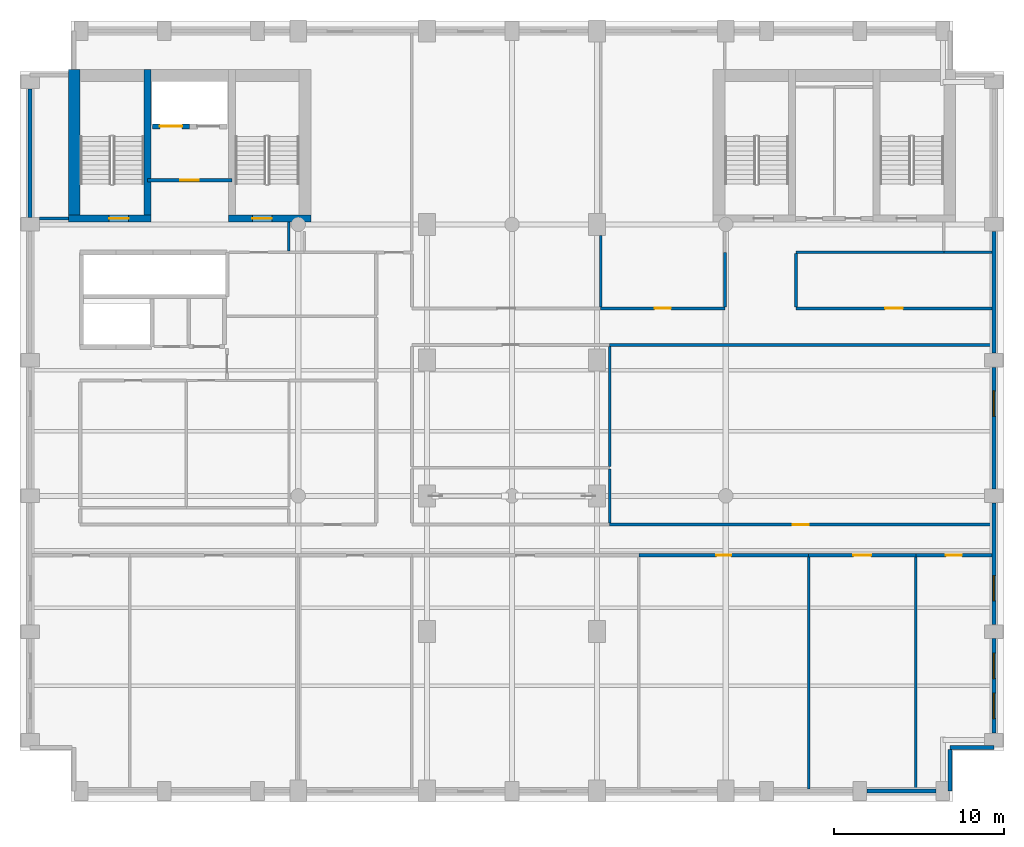
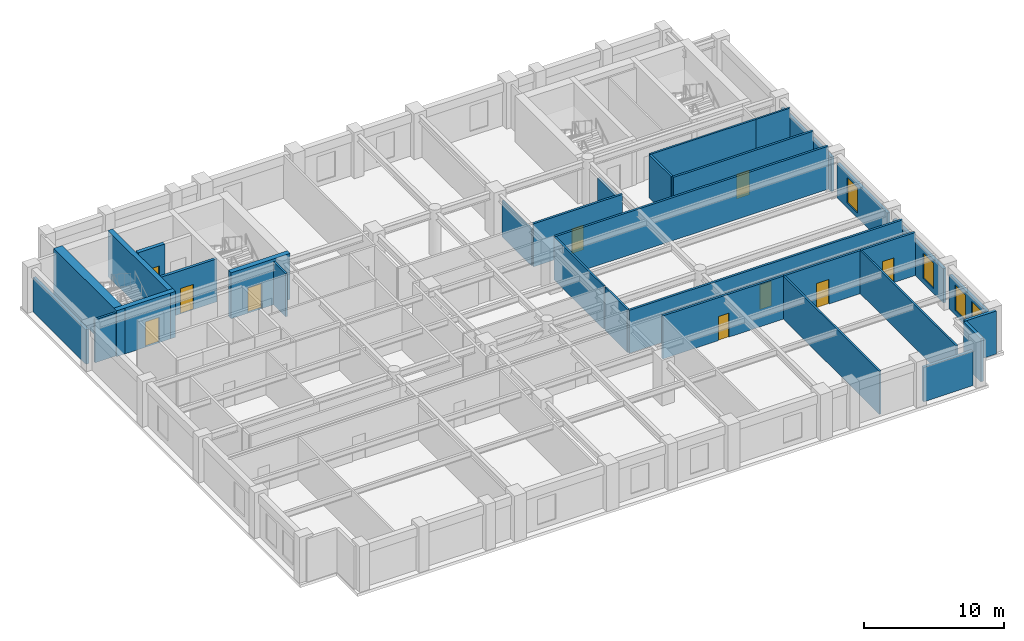
# One storey, part 6 of 10: 32 walls, 10 doors, 4 windows, 14 openings.
"""IFC4 building model written with IfcOpenShell, lengths in metres."""

from ifc_helpers import new_model, si_unit, direction, frame, frame_2d, origin, place, context, subcontext, project, spatial, rectangle, extrude, material, layer, layer_set, type_object, element, fill, save


model = new_model("IFC4")

# Units and contexts
model_context = context("Model", 3, precision=1e-05, world=origin(), true_north=direction((0.0, 1.0)))
body_context = subcontext(model_context, "Body", "Model", "MODEL_VIEW")
ifc_project = project(units=[si_unit("LENGTHUNIT", "METRE"), si_unit("AREAUNIT", "SQUARE_METRE"), si_unit("VOLUMEUNIT", "CUBIC_METRE"), si_unit("PLANEANGLEUNIT", "RADIAN"), si_unit("MASSUNIT", "GRAM", prefix="KILO")], contexts=[model_context])

# Site, building, storey
site_placement = place(None, origin())
site = spatial("IfcSite", under=ifc_project, at=site_placement, CompositionType="ELEMENT")
building_placement = place(site_placement, origin())
building = spatial("IfcBuilding", under=site, at=building_placement, Name="Sulina Concourse Tower", CompositionType="ELEMENT")
storey_placement = place(building_placement, frame((0.0, 0.0, 210.60009765625)))
storey = spatial("IfcBuildingStorey", under=building, at=storey_placement, Name="L51", CompositionType="ELEMENT", Elevation=210.60009765625)

# Wall, opening, door
ifc_material_1 = material(Name="Concrete C50/60", Category="concrete")
ifc_layer_1 = layer(ifc_material_1, 0.300048828125)
ifc_layer_set_1 = layer_set([ifc_layer_1], Name="Concrete C50/60")
wall_type_1 = type_object("IfcWallType", Name="Core Lift Hoistway Wall 300mm", PredefinedType="SOLIDWALL", material=ifc_layer_set_1)
wall_1_placement = place(storey_placement, frame((10.0, 39.780029296875, 0.0), z_axis=(0.0, 0.0, 1.0), x_axis=(-1.0, 0.0, 0.0)))
wall_1 = element("IfcWall", 1, at=wall_1_placement, inside=storey, type_object=wall_type_1, Name="L51 hoistway enclosure wall FFL-1", PredefinedType="SOLIDWALL", context=body_context, shape_type="SweptSolid", body=[
    extrude(rectangle(XDim=2.199951171875, YDim=0.300048828125, at=frame_2d((1.10009765625, 0.0))), origin(), (0.0, 0.0, 1.0), 4.0),
])
opening_1_placement = place(wall_1_placement, frame((0.449951171875, 0.0, 0.0)))
opening_1 = element("IfcOpeningElement", 2, at=opening_1_placement, cuts=wall_1, Name="Opening LD-02", PredefinedType="OPENING", context=body_context, shape_type="SweptSolid", body=[
    extrude(rectangle(XDim=1.300048828125, YDim=2.25, at=frame_2d((0.64990234375, 1.125))), frame((0.0, 0.159912109375, 0.0), z_axis=(0.0, -1.0, 0.0), x_axis=(1.0, 0.0, 0.0)), (0.0, 0.0, 1.0), 0.320068359375),
])
ifc_material_2 = material(Name="Stainless steel lift landing door", Category="steel")
ifc_layer_2 = layer(ifc_material_2, 0.050048828125)
ifc_layer_set_2 = layer_set([ifc_layer_2], Name="Stainless steel lift landing door")
door_type_1 = type_object("IfcDoorType", Name="Firefighting Lift Sliding Landing Door 1300x2250", OperationType="SLIDING_TO_RIGHT", PredefinedType="DOOR", material=ifc_layer_set_2)
door_1_placement = place(opening_1_placement, origin())
door_1 = element("IfcDoor", 3, at=door_1_placement, inside=storey, type_object=door_type_1, Name="L51 lift landing sliding door FFL-1", OperationType="SLIDING_TO_LEFT", OverallHeight=2.25, OverallWidth=1.300048828125, PredefinedType="DOOR", context=body_context, shape_type="SweptSolid", body=[
    extrude(rectangle(XDim=1.300048828125, YDim=2.25, at=frame_2d((0.64990234375, 1.125))), frame((0.0, 0.02490234375, 0.0), z_axis=(0.0, -1.0, 0.0), x_axis=(1.0, 0.0, 0.0)), (0.0, 0.0, 1.0), 0.050048828125),
])
fill(opening_1, door_1)

# Walls
ifc_material_3 = material(Name="Precast concrete C50/60", Category="concrete")
ifc_layer_3 = layer(ifc_material_3, 0.239990234375)
ifc_layer_set_3 = layer_set([ifc_layer_3], Name="Precast concrete C50/60")
wall_type_2 = type_object("IfcWallType", Name="Crown Precast Masonry-Frame Facade Wall 240mm", PredefinedType="SOLIDWALL", material=ifc_layer_set_3)
wall_2_placement = place(storey_placement, frame((53.97998046875, 0.60009765625, 0.0), z_axis=(0.0, 0.0, 1.0), x_axis=(-1.0, 0.0, 0.0)))
element("IfcWall", 4, at=wall_2_placement, inside=storey, type_object=wall_type_2, Name="L51 exterior precast wall S10", PredefinedType="SOLIDWALL", context=body_context, shape_type="SweptSolid", body=[
    extrude(rectangle(XDim=4.06005859375, YDim=0.239990234375, at=frame_2d((2.030029296875, 0.0))), origin(), (0.0, 0.0, 1.0), 3.0),
])
wall_3_placement = place(storey_placement, frame((0.60009765625, 34.419921875, 0.0), z_axis=(0.0, 0.0, 1.0), x_axis=(0.0, 1.0, 0.0)))
element("IfcWall", 5, at=wall_3_placement, inside=storey, type_object=wall_type_2, Name="L51 exterior precast wall W5", PredefinedType="SOLIDWALL", context=body_context, shape_type="SweptSolid", body=[
    extrude(rectangle(XDim=7.56005859375, YDim=0.239990234375, at=frame_2d((3.780029296875, 0.0))), origin(), (0.0, 0.0, 1.0), 3.0),
])

# Wall, openings, windows
wall_4_placement = place(storey_placement, frame((57.39990234375, 9.580078125, 0.0), z_axis=(0.0, 0.0, 1.0), x_axis=(0.0, -1.0, 0.0)))
wall_4 = element("IfcWall", 6, at=wall_4_placement, inside=storey, type_object=wall_type_2, Name="L51 exterior precast wall E1", PredefinedType="SOLIDWALL", context=body_context, shape_type="SweptSolid", body=[
    extrude(rectangle(XDim=5.56005859375, YDim=0.239990234375, at=frame_2d((2.780029296875, 0.0))), origin(), (0.0, 0.0, 1.0), 3.0),
])
opening_2_placement = place(wall_4_placement, frame((0.853271484375, 0.0, 0.419921875)))
opening_2 = element("IfcOpeningElement", 7, at=opening_2_placement, cuts=wall_4, Name="Opening WN-71", PredefinedType="OPENING", context=body_context, shape_type="SweptSolid", body=[
    extrude(rectangle(XDim=1.5, YDim=2.199951171875, at=frame_2d((0.75, 1.10009765625))), frame((0.0, 0.1298828125, 0.0), z_axis=(0.0, -1.0, 0.0), x_axis=(1.0, 0.0, 0.0)), (0.0, 0.0, 1.0), 0.260009765625),
])
opening_3_placement = place(wall_4_placement, frame((3.206787109375, 0.0, 0.419921875)))
opening_3 = element("IfcOpeningElement", 8, at=opening_3_placement, cuts=wall_4, Name="Opening WN-71", PredefinedType="OPENING", context=body_context, shape_type="SweptSolid", body=[
    extrude(rectangle(XDim=1.5, YDim=2.199951171875, at=frame_2d((0.75, 1.10009765625))), frame((0.0, 0.1298828125, 0.0), z_axis=(0.0, -1.0, 0.0), x_axis=(1.0, 0.0, 0.0)), (0.0, 0.0, 1.0), 0.260009765625),
])
ifc_material_4 = material(Name="Low-E solar double glazing in bronze aluminium", Category="aluminium")
window_type = type_object("IfcWindowType", Name="Punched Masonry-Frame Window 1500x2200", PartitioningType="SINGLE_PANEL", PredefinedType="WINDOW", material=ifc_material_4)
window_1_placement = place(opening_2_placement, origin())
window_1 = element("IfcWindow", 9, at=window_1_placement, inside=storey, type_object=window_type, Name="L51 punched window E1-1", OverallHeight=2.199951171875, OverallWidth=1.5, PartitioningType="SINGLE_PANEL", PredefinedType="WINDOW", context=body_context, shape_type="SweptSolid", body=[
    extrude(rectangle(XDim=1.5, YDim=2.199951171875, at=frame_2d((0.75, 1.10009765625))), frame((0.0, 0.030029296875, 0.0), z_axis=(0.0, -1.0, 0.0), x_axis=(1.0, 0.0, 0.0)), (0.0, 0.0, 1.0), 0.06005859375),
])
fill(opening_2, window_1)
window_2_placement = place(opening_3_placement, origin())
window_2 = element("IfcWindow", 10, at=window_2_placement, inside=storey, type_object=window_type, Name="L51 punched window E1-2", OverallHeight=2.199951171875, OverallWidth=1.5, PartitioningType="SINGLE_PANEL", PredefinedType="WINDOW", context=body_context, shape_type="SweptSolid", body=[
    extrude(rectangle(XDim=1.5, YDim=2.199951171875, at=frame_2d((0.75, 1.10009765625))), frame((0.0, 0.030029296875, 0.0), z_axis=(0.0, -1.0, 0.0), x_axis=(1.0, 0.0, 0.0)), (0.0, 0.0, 1.0), 0.06005859375),
])
fill(opening_3, window_2)

# Wall, opening, window
wall_5_placement = place(storey_placement, frame((57.39990234375, 17.580078125, 0.0), z_axis=(0.0, 0.0, 1.0), x_axis=(0.0, -1.0, 0.0)))
wall_5 = element("IfcWall", 11, at=wall_5_placement, inside=storey, type_object=wall_type_2, Name="L51 exterior precast wall E2", PredefinedType="SOLIDWALL", context=body_context, shape_type="SweptSolid", body=[
    extrude(rectangle(XDim=7.16015625, YDim=0.239990234375, at=frame_2d((3.580078125, 0.0))), origin(), (0.0, 0.0, 1.0), 3.0),
])
opening_4_placement = place(wall_5_placement, frame((4.273193359375, 0.0, 0.419921875)))
opening_4 = element("IfcOpeningElement", 12, at=opening_4_placement, cuts=wall_5, Name="Opening WN-71", PredefinedType="OPENING", context=body_context, shape_type="SweptSolid", body=[
    extrude(rectangle(XDim=1.5, YDim=2.199951171875, at=frame_2d((0.75, 1.10009765625))), frame((0.0, 0.1298828125, 0.0), z_axis=(0.0, -1.0, 0.0), x_axis=(1.0, 0.0, 0.0)), (0.0, 0.0, 1.0), 0.260009765625),
])
window_3_placement = place(opening_4_placement, origin())
window_3 = element("IfcWindow", 13, at=window_3_placement, inside=storey, type_object=window_type, Name="L51 punched window E2-1", OverallHeight=2.199951171875, OverallWidth=1.5, PartitioningType="SINGLE_PANEL", PredefinedType="WINDOW", context=body_context, shape_type="SweptSolid", body=[
    extrude(rectangle(XDim=1.5, YDim=2.199951171875, at=frame_2d((0.75, 1.10009765625))), frame((0.0, 0.030029296875, 0.0), z_axis=(0.0, -1.0, 0.0), x_axis=(1.0, 0.0, 0.0)), (0.0, 0.0, 1.0), 0.06005859375),
])
fill(opening_4, window_3)

wall_6_placement = place(storey_placement, frame((57.39990234375, 25.580078125, 0.0), z_axis=(0.0, 0.0, 1.0), x_axis=(0.0, -1.0, 0.0)))
wall_6 = element("IfcWall", 14, at=wall_6_placement, inside=storey, type_object=wall_type_2, Name="L51 exterior precast wall E3", PredefinedType="SOLIDWALL", context=body_context, shape_type="SweptSolid", body=[
    extrude(rectangle(XDim=7.16015625, YDim=0.239990234375, at=frame_2d((3.580078125, 0.0))), origin(), (0.0, 0.0, 1.0), 3.0),
])
opening_5_placement = place(wall_6_placement, frame((1.38671875, 0.0, 0.419921875)))
opening_5 = element("IfcOpeningElement", 15, at=opening_5_placement, cuts=wall_6, Name="Opening WN-71", PredefinedType="OPENING", context=body_context, shape_type="SweptSolid", body=[
    extrude(rectangle(XDim=1.5, YDim=2.199951171875, at=frame_2d((0.75, 1.10009765625))), frame((0.0, 0.1298828125, 0.0), z_axis=(0.0, -1.0, 0.0), x_axis=(1.0, 0.0, 0.0)), (0.0, 0.0, 1.0), 0.260009765625),
])
window_4_placement = place(opening_5_placement, origin())
window_4 = element("IfcWindow", 16, at=window_4_placement, inside=storey, type_object=window_type, Name="L51 punched window E3-1", OverallHeight=2.199951171875, OverallWidth=1.5, PartitioningType="SINGLE_PANEL", PredefinedType="WINDOW", context=body_context, shape_type="SweptSolid", body=[
    extrude(rectangle(XDim=1.5, YDim=2.199951171875, at=frame_2d((0.75, 1.10009765625))), frame((0.0, 0.030029296875, 0.0), z_axis=(0.0, -1.0, 0.0), x_axis=(1.0, 0.0, 0.0)), (0.0, 0.0, 1.0), 0.06005859375),
])
fill(opening_5, window_4)

# Walls
wall_7_placement = place(storey_placement, frame((57.39990234375, 33.580078125, 0.0), z_axis=(0.0, 0.0, 1.0), x_axis=(0.0, -1.0, 0.0)))
element("IfcWall", 17, at=wall_7_placement, inside=storey, type_object=wall_type_2, Name="L51 exterior precast wall E4", PredefinedType="SOLIDWALL", context=body_context, shape_type="SweptSolid", body=[
    extrude(rectangle(XDim=7.16015625, YDim=0.239990234375, at=frame_2d((3.580078125, 0.0))), origin(), (0.0, 0.0, 1.0), 3.0),
])
wall_8_placement = place(storey_placement, frame((57.39990234375, 3.179931640625, 0.0), z_axis=(0.0, 0.0, 1.0), x_axis=(-1.0, 0.0, 0.0)))
element("IfcWall", 18, at=wall_8_placement, inside=storey, type_object=wall_type_2, Name="L51 exterior precast wall CSE1", PredefinedType="SOLIDWALL", context=body_context, shape_type="SweptSolid", body=[
    extrude(rectangle(XDim=2.579833984375, YDim=0.239990234375, at=frame_2d((1.2900390625, 0.0))), origin(), (0.0, 0.0, 1.0), 3.75),
])
wall_9_placement = place(storey_placement, frame((54.820068359375, 3.054931640625, 0.0), z_axis=(0.0, 0.0, 1.0), x_axis=(0.0, -1.0, 0.0)))
element("IfcWall", 19, at=wall_9_placement, inside=storey, type_object=wall_type_2, Name="L51 exterior precast wall CSE2", PredefinedType="SOLIDWALL", context=body_context, shape_type="SweptSolid", body=[
    extrude(rectangle(XDim=2.454833984375, YDim=0.239990234375, at=frame_2d((1.2275390625, 0.0))), origin(), (0.0, 0.0, 1.0), 3.75),
])

# Wall, opening, door
ifc_material_5 = material(Name="Gypsum board on steel stud", Category="steel")
ifc_layer_4 = layer(ifc_material_5, 0.219970703125)
ifc_layer_set_4 = layer_set([ifc_layer_4], Name="Gypsum board on steel stud")
wall_type_3 = type_object("IfcWallType", Name="Fire-Rated Lobby & Compartment Wall 220mm", PredefinedType="PARTITIONING", material=ifc_layer_set_4)
wall_10_placement = place(storey_placement, frame((7.510009765625, 36.60009765625, 0.0), z_axis=(0.0, 0.0, 1.0), x_axis=(1.0, 0.0, 0.0)))
wall_10 = element("IfcWall", 20, at=wall_10_placement, inside=storey, type_object=wall_type_3, Name="L51 firefighting lobby south fire wall", PredefinedType="PARTITIONING", context=body_context, shape_type="SweptSolid", body=[
    extrude(rectangle(XDim=4.97998046875, YDim=0.219970703125, at=frame_2d((2.489990234375, 0.0))), origin(), (0.0, 0.0, 1.0), 3.75),
])
opening_6_placement = place(wall_10_placement, frame((1.93994140625, 0.0, 0.0)))
opening_6 = element("IfcOpeningElement", 21, at=opening_6_placement, cuts=wall_10, Name="Opening DR-47", PredefinedType="OPENING", context=body_context, shape_type="SweptSolid", body=[
    extrude(rectangle(XDim=1.10009765625, YDim=2.199951171875, at=frame_2d((0.550048828125, 1.10009765625))), frame((0.0, 0.119873046875, 0.0), z_axis=(0.0, -1.0, 0.0), x_axis=(1.0, 0.0, 0.0)), (0.0, 0.0, 1.0), 0.239990234375),
])
ifc_material_6 = material(Name="Galvanised steel acoustic fire leaf", Category="steel")
ifc_layer_5 = layer(ifc_material_6, 0.054931640625)
ifc_layer_set_5 = layer_set([ifc_layer_5], Name="Galvanised steel acoustic fire leaf")
door_type_2 = type_object("IfcDoorType", Name="Firefighting Lobby Fire Door 1100x2200", OperationType="NOTDEFINED", PredefinedType="DOOR", material=ifc_layer_set_5)
door_2_placement = place(opening_6_placement, origin())
door_2 = element("IfcDoor", 22, at=door_2_placement, inside=storey, type_object=door_type_2, Name="L51 firefighting lobby fire door", OperationType="SINGLE_SWING_RIGHT", OverallHeight=2.199951171875, OverallWidth=1.10009765625, PredefinedType="DOOR", context=body_context, shape_type="SweptSolid", body=[
    extrude(rectangle(XDim=1.10009765625, YDim=2.199951171875, at=frame_2d((0.550048828125, 1.10009765625))), frame((0.0, 0.02490234375, 0.0), z_axis=(0.0, -1.0, 0.0), x_axis=(1.0, 0.0, 0.0)), (0.0, 0.0, 1.0), 0.050048828125),
])
fill(opening_6, door_2)

# Walls
ifc_material_7 = material(Name="Gypsum board on steel stud", Category="steel")
ifc_layer_6 = layer(ifc_material_7, 0.14990234375)
ifc_layer_set_6 = layer_set([ifc_layer_6], Name="Gypsum board on steel stud")
wall_type_4 = type_object("IfcWallType", Name="Inter-Tenancy Acoustic Partition 150mm", PredefinedType="PARTITIONING", material=ifc_layer_set_6)
wall_11_placement = place(storey_placement, frame((45.75, 32.35009765625, 0.0), z_axis=(0.0, 0.0, 1.0), x_axis=(1.0, 0.0, 0.0)))
element("IfcWall", 23, at=wall_11_placement, inside=storey, type_object=wall_type_4, Name="L51 interior partition 031", PredefinedType="PARTITIONING", context=body_context, shape_type="SweptSolid", body=[
    extrude(rectangle(XDim=8.699951171875, YDim=0.14990234375, at=frame_2d((4.35009765625, 0.0))), origin(), (0.0, 0.0, 1.0), 3.75),
])
wall_12_placement = place(storey_placement, frame((54.449951171875, 32.35009765625, 0.0), z_axis=(0.0, 0.0, 1.0), x_axis=(1.0, 0.0, 0.0)))
element("IfcWall", 24, at=wall_12_placement, inside=storey, type_object=wall_type_4, Name="L51 interior partition 032", PredefinedType="PARTITIONING", context=body_context, shape_type="SweptSolid", body=[
    extrude(rectangle(XDim=2.830078125, YDim=0.14990234375, at=frame_2d((1.4150390625, 0.0))), origin(), (0.0, 0.0, 1.0), 3.75),
])
wall_13_placement = place(storey_placement, frame((15.85009765625, 32.425048828125, 0.0), z_axis=(0.0, 0.0, 1.0), x_axis=(0.0, 1.0, 0.0)))
element("IfcWall", 25, at=wall_13_placement, inside=storey, type_object=wall_type_4, Name="L51 interior partition 045", PredefinedType="PARTITIONING", context=body_context, shape_type="SweptSolid", body=[
    extrude(rectangle(XDim=1.724853515625, YDim=0.14990234375, at=frame_2d((0.8623046875, 0.0))), origin(), (0.0, 0.0, 1.0), 3.75),
])
wall_14_placement = place(storey_placement, frame((34.219970703125, 29.139892578125, 0.0), z_axis=(0.0, 0.0, 1.0), x_axis=(0.0, 1.0, 0.0)))
element("IfcWall", 26, at=wall_14_placement, inside=storey, type_object=wall_type_4, Name="L51 interior partition 056", PredefinedType="PARTITIONING", context=body_context, shape_type="SweptSolid", body=[
    extrude(rectangle(XDim=4.210205078125, YDim=0.14990234375, at=frame_2d((2.10498046875, 0.0))), origin(), (0.0, 0.0, 1.0), 3.14501953125),
])
wall_15_placement = place(storey_placement, frame((34.75, 16.389892578125, 0.0), z_axis=(0.0, 0.0, 1.0), x_axis=(0.0, 1.0, 0.0)))
element("IfcWall", 27, at=wall_15_placement, inside=storey, type_object=wall_type_4, Name="L51 interior partition 058", PredefinedType="PARTITIONING", context=body_context, shape_type="SweptSolid", body=[
    extrude(rectangle(XDim=3.18505859375, YDim=0.14990234375, at=frame_2d((1.592529296875, 0.0))), origin(), (0.0, 0.0, 1.0), 3.75),
])
wall_16_placement = place(storey_placement, frame((34.75, 19.72509765625, 0.0), z_axis=(0.0, 0.0, 1.0), x_axis=(0.0, 1.0, 0.0)))
element("IfcWall", 28, at=wall_16_placement, inside=storey, type_object=wall_type_4, Name="L51 interior partition 059", PredefinedType="PARTITIONING", context=body_context, shape_type="SweptSolid", body=[
    extrude(rectangle(XDim=7.0849609375, YDim=0.14990234375, at=frame_2d((3.54248046875, 0.0))), origin(), (0.0, 0.0, 1.0), 3.75),
])
for number, where, z_axis, x_axis, name in (
    (29, (46.47998046875, 0.719970703125, 0.0), (0.0, 0.0, 1.0), (0.0, 1.0, 0.0), "L51 interior partition 065"),
    (30, (52.81005859375, 0.719970703125, 0.0), (0.0, 0.0, 1.0), (0.0, 1.0, 0.0), "L51 interior partition 067"),
):
    element("IfcWall", number, at=place(storey_placement, frame(where, z_axis=z_axis, x_axis=x_axis)), inside=storey, type_object=wall_type_4, Name=name, PredefinedType="PARTITIONING", context=body_context, shape_type="SweptSolid", body=[
        extrude(rectangle(XDim=13.68994140625, YDim=0.14990234375, at=frame_2d((6.844970703125, 0.0))), origin(), (0.0, 0.0, 1.0), 3.75),
    ])

# Wall, opening, door
ifc_material_8 = material(Name="Gypsum board on steel stud", Category="steel")
ifc_layer_7 = layer(ifc_material_8, 0.179931640625)
ifc_layer_set_7 = layer_set([ifc_layer_7], Name="Gypsum board on steel stud")
wall_type_5 = type_object("IfcWallType", Name="Protected Corridor & Riser Partition 180mm", PredefinedType="PARTITIONING", material=ifc_layer_set_7)
wall_17_placement = place(storey_placement, frame((36.47998046875, 14.5, 0.0), z_axis=(0.0, 0.0, 1.0), x_axis=(1.0, 0.0, 0.0)))
wall_17 = element("IfcWall", 31, at=wall_17_placement, inside=storey, type_object=wall_type_5, Name="L51 interior partition 005", PredefinedType="PARTITIONING", context=body_context, shape_type="SweptSolid", body=[
    extrude(rectangle(XDim=10.0, YDim=0.179931640625, at=frame_2d((5.0, 0.0))), origin(), (0.0, 0.0, 1.0), 3.75),
])
opening_7_placement = place(wall_17_placement, frame((4.56005859375, 0.0, 0.0)))
opening_7 = element("IfcOpeningElement", 32, at=opening_7_placement, cuts=wall_17, Name="Opening DR-38", PredefinedType="OPENING", context=body_context, shape_type="SweptSolid", body=[
    extrude(rectangle(XDim=0.8798828125, YDim=2.10009765625, at=frame_2d((0.43994140625, 1.050048828125))), frame((0.0, 0.099853515625, 0.0), z_axis=(0.0, -1.0, 0.0), x_axis=(1.0, 0.0, 0.0)), (0.0, 0.0, 1.0), 0.199951171875),
])
ifc_material_9 = material(Name="Galvanised steel acoustic fire leaf", Category="steel")
ifc_layer_8 = layer(ifc_material_9, 0.050048828125)
ifc_layer_set_8 = layer_set([ifc_layer_8], Name="Galvanised steel acoustic fire leaf")
door_type_3 = type_object("IfcDoorType", Name="Service Riser Fire Door 880x2100", OperationType="NOTDEFINED", PredefinedType="DOOR", material=ifc_layer_set_8)
door_3_placement = place(opening_7_placement, origin())
door_3 = element("IfcDoor", 33, at=door_3_placement, inside=storey, type_object=door_type_3, Name="L51 interior door L51-S05", OperationType="SINGLE_SWING_RIGHT", OverallHeight=2.10009765625, OverallWidth=0.8798828125, PredefinedType="DOOR", context=body_context, shape_type="SweptSolid", body=[
    extrude(rectangle(XDim=0.8798828125, YDim=2.10009765625, at=frame_2d((0.43994140625, 1.050048828125))), frame((0.0, 0.02490234375, 0.0), z_axis=(0.0, -1.0, 0.0), x_axis=(1.0, 0.0, 0.0)), (0.0, 0.0, 1.0), 0.050048828125),
])
fill(opening_7, door_3)

wall_18_placement = place(storey_placement, frame((46.47998046875, 14.5, 0.0), z_axis=(0.0, 0.0, 1.0), x_axis=(1.0, 0.0, 0.0)))
wall_18 = element("IfcWall", 34, at=wall_18_placement, inside=storey, type_object=wall_type_5, Name="L51 interior partition 006", PredefinedType="PARTITIONING", context=body_context, shape_type="SweptSolid", body=[
    extrude(rectangle(XDim=6.330078125, YDim=0.179931640625, at=frame_2d((3.1650390625, 0.0))), origin(), (0.0, 0.0, 1.0), 3.75),
])
opening_8_placement = place(wall_18_placement, frame((2.639892578125, 0.0, 0.0)))
opening_8 = element("IfcOpeningElement", 35, at=opening_8_placement, cuts=wall_18, Name="Opening DR-37", PredefinedType="OPENING", context=body_context, shape_type="SweptSolid", body=[
    extrude(rectangle(XDim=1.050048828125, YDim=2.14990234375, at=frame_2d((0.52490234375, 1.074951171875))), frame((0.0, 0.099853515625, 0.0), z_axis=(0.0, -1.0, 0.0), x_axis=(1.0, 0.0, 0.0)), (0.0, 0.0, 1.0), 0.199951171875),
])
ifc_material_10 = material(Name="Oak-veneered fire door leaf")
ifc_layer_9 = layer(ifc_material_10, 0.050048828125)
ifc_layer_set_9 = layer_set([ifc_layer_9], Name="Oak-veneered fire door leaf")
door_type_4 = type_object("IfcDoorType", Name="Tenant Suite Entrance Fire Door 1050x2150", OperationType="NOTDEFINED", PredefinedType="DOOR", material=ifc_layer_set_9)
door_4_placement = place(opening_8_placement, origin())
door_4 = element("IfcDoor", 36, at=door_4_placement, inside=storey, type_object=door_type_4, Name="L51 interior door L51-S06A", OperationType="SINGLE_SWING_LEFT", OverallHeight=2.14990234375, OverallWidth=1.050048828125, PredefinedType="DOOR", context=body_context, shape_type="SweptSolid", body=[
    extrude(rectangle(XDim=1.050048828125, YDim=2.14990234375, at=frame_2d((0.52490234375, 1.074951171875))), frame((0.0, 0.02490234375, 0.0), z_axis=(0.0, -1.0, 0.0), x_axis=(1.0, 0.0, 0.0)), (0.0, 0.0, 1.0), 0.050048828125),
])
fill(opening_8, door_4)

wall_19_placement = place(storey_placement, frame((52.81005859375, 14.5, 0.0), z_axis=(0.0, 0.0, 1.0), x_axis=(1.0, 0.0, 0.0)))
wall_19 = element("IfcWall", 37, at=wall_19_placement, inside=storey, type_object=wall_type_5, Name="L51 interior partition 007", PredefinedType="PARTITIONING", context=body_context, shape_type="SweptSolid", body=[
    extrude(rectangle(XDim=4.469970703125, YDim=0.179931640625, at=frame_2d((2.23486328125, 0.0))), origin(), (0.0, 0.0, 1.0), 3.75),
])
opening_9_placement = place(wall_19_placement, frame((1.760009765625, 0.0, 0.0)))
opening_9 = element("IfcOpeningElement", 38, at=opening_9_placement, cuts=wall_19, Name="Opening DR-19", PredefinedType="OPENING", context=body_context, shape_type="SweptSolid", body=[
    extrude(rectangle(XDim=0.949951171875, YDim=2.14990234375, at=frame_2d((0.47509765625, 1.074951171875))), frame((0.0, 0.099853515625, 0.0), z_axis=(0.0, -1.0, 0.0), x_axis=(1.0, 0.0, 0.0)), (0.0, 0.0, 1.0), 0.199951171875),
])
ifc_material_11 = material(Name="Oak-veneered acoustic timber leaf", Category="wood")
ifc_layer_10 = layer(ifc_material_11, 0.050048828125)
ifc_layer_set_10 = layer_set([ifc_layer_10], Name="Oak-veneered acoustic timber leaf")
door_type_5 = type_object("IfcDoorType", Name="Cellular Office & Meeting Door 950x2150", OperationType="NOTDEFINED", PredefinedType="DOOR", material=ifc_layer_set_10)
door_5_placement = place(opening_9_placement, origin())
door_5 = element("IfcDoor", 39, at=door_5_placement, inside=storey, type_object=door_type_5, Name="L51 interior door L51-S06B", OperationType="SINGLE_SWING_RIGHT", OverallHeight=2.14990234375, OverallWidth=0.949951171875, PredefinedType="DOOR", context=body_context, shape_type="SweptSolid", body=[
    extrude(rectangle(XDim=0.949951171875, YDim=2.14990234375, at=frame_2d((0.47509765625, 1.074951171875))), frame((0.0, 0.02490234375, 0.0), z_axis=(0.0, -1.0, 0.0), x_axis=(1.0, 0.0, 0.0)), (0.0, 0.0, 1.0), 0.050048828125),
])
fill(opening_9, door_5)

wall_20_placement = place(storey_placement, frame((34.75, 16.300048828125, 0.0), z_axis=(0.0, 0.0, 1.0), x_axis=(1.0, 0.0, 0.0)))
wall_20 = element("IfcWall", 40, at=wall_20_placement, inside=storey, type_object=wall_type_5, Name="L51 interior partition 011", PredefinedType="PARTITIONING", context=body_context, shape_type="SweptSolid", body=[
    extrude(rectangle(XDim=22.530029296875, YDim=0.179931640625, at=frame_2d((11.26513671875, 0.0))), origin(), (0.0, 0.0, 1.0), 3.75),
])
opening_10_placement = place(wall_20_placement, frame((10.7900390625, 0.0, 0.0)))
opening_10 = element("IfcOpeningElement", 41, at=opening_10_placement, cuts=wall_20, Name="Opening DR-19", PredefinedType="OPENING", context=body_context, shape_type="SweptSolid", body=[
    extrude(rectangle(XDim=0.949951171875, YDim=2.14990234375, at=frame_2d((0.47509765625, 1.074951171875))), frame((0.0, 0.099853515625, 0.0), z_axis=(0.0, -1.0, 0.0), x_axis=(1.0, 0.0, 0.0)), (0.0, 0.0, 1.0), 0.199951171875),
])
door_6_placement = place(opening_10_placement, origin())
door_6 = element("IfcDoor", 42, at=door_6_placement, inside=storey, type_object=door_type_5, Name="L51 interior door L51-UBT-ERM", OperationType="SINGLE_SWING_RIGHT", OverallHeight=2.14990234375, OverallWidth=0.949951171875, PredefinedType="DOOR", context=body_context, shape_type="SweptSolid", body=[
    extrude(rectangle(XDim=0.949951171875, YDim=2.14990234375, at=frame_2d((0.47509765625, 1.074951171875))), frame((0.0, 0.02490234375, 0.0), z_axis=(0.0, -1.0, 0.0), x_axis=(1.0, 0.0, 0.0)), (0.0, 0.0, 1.0), 0.050048828125),
])
fill(opening_10, door_6)

# Wall
wall_21_placement = place(storey_placement, frame((34.75, 26.89990234375, 0.0), z_axis=(0.0, 0.0, 1.0), x_axis=(1.0, 0.0, 0.0)))
element("IfcWall", 43, at=wall_21_placement, inside=storey, type_object=wall_type_5, Name="L51 interior partition 022", PredefinedType="PARTITIONING", context=body_context, shape_type="SweptSolid", body=[
    extrude(rectangle(XDim=22.530029296875, YDim=0.179931640625, at=frame_2d((11.26513671875, 0.0))), origin(), (0.0, 0.0, 1.0), 3.75),
])

# Wall, opening, door
wall_22_placement = place(storey_placement, frame((34.219970703125, 29.050048828125, 0.0), z_axis=(0.0, 0.0, 1.0), x_axis=(1.0, 0.0, 0.0)))
wall_22 = element("IfcWall", 44, at=wall_22_placement, inside=storey, type_object=wall_type_5, Name="L51 interior partition 025", PredefinedType="PARTITIONING", context=body_context, shape_type="SweptSolid", body=[
    extrude(rectangle(XDim=7.330078125, YDim=0.179931640625, at=frame_2d((3.6650390625, 0.0))), origin(), (0.0, 0.0, 1.0), 3.75),
])
opening_11_placement = place(wall_22_placement, frame((3.18994140625, 0.0, 0.0)))
opening_11 = element("IfcOpeningElement", 45, at=opening_11_placement, cuts=wall_22, Name="Opening DR-19", PredefinedType="OPENING", context=body_context, shape_type="SweptSolid", body=[
    extrude(rectangle(XDim=0.949951171875, YDim=2.14990234375, at=frame_2d((0.47509765625, 1.074951171875))), frame((0.0, 0.099853515625, 0.0), z_axis=(0.0, -1.0, 0.0), x_axis=(1.0, 0.0, 0.0)), (0.0, 0.0, 1.0), 0.199951171875),
])
door_7_placement = place(opening_11_placement, origin())
door_7 = element("IfcDoor", 46, at=door_7_placement, inside=storey, type_object=door_type_5, Name="L51 interior door L51-NC2", OperationType="SINGLE_SWING_RIGHT", OverallHeight=2.14990234375, OverallWidth=0.949951171875, PredefinedType="DOOR", context=body_context, shape_type="SweptSolid", body=[
    extrude(rectangle(XDim=0.949951171875, YDim=2.14990234375, at=frame_2d((0.47509765625, 1.074951171875))), frame((0.0, 0.02490234375, 0.0), z_axis=(0.0, -1.0, 0.0), x_axis=(1.0, 0.0, 0.0)), (0.0, 0.0, 1.0), 0.050048828125),
])
fill(opening_11, door_7)

wall_23_placement = place(storey_placement, frame((45.75, 29.050048828125, 0.0), z_axis=(0.0, 0.0, 1.0), x_axis=(1.0, 0.0, 0.0)))
wall_23 = element("IfcWall", 47, at=wall_23_placement, inside=storey, type_object=wall_type_5, Name="L51 interior partition 026", PredefinedType="PARTITIONING", context=body_context, shape_type="SweptSolid", body=[
    extrude(rectangle(XDim=11.530029296875, YDim=0.179931640625, at=frame_2d((5.76513671875, 0.0))), origin(), (0.0, 0.0, 1.0), 3.75),
])
opening_12_placement = place(wall_23_placement, frame((5.239990234375, 0.0, 0.0)))
opening_12 = element("IfcOpeningElement", 48, at=opening_12_placement, cuts=wall_23, Name="Opening DR-37", PredefinedType="OPENING", context=body_context, shape_type="SweptSolid", body=[
    extrude(rectangle(XDim=1.050048828125, YDim=2.14990234375, at=frame_2d((0.52490234375, 1.074951171875))), frame((0.0, 0.099853515625, 0.0), z_axis=(0.0, -1.0, 0.0), x_axis=(1.0, 0.0, 0.0)), (0.0, 0.0, 1.0), 0.199951171875),
])
door_8_placement = place(opening_12_placement, origin())
door_8 = element("IfcDoor", 49, at=door_8_placement, inside=storey, type_object=door_type_4, Name="L51 interior door L51-NE1", OperationType="SINGLE_SWING_LEFT", OverallHeight=2.14990234375, OverallWidth=1.050048828125, PredefinedType="DOOR", context=body_context, shape_type="SweptSolid", body=[
    extrude(rectangle(XDim=1.050048828125, YDim=2.14990234375, at=frame_2d((0.52490234375, 1.074951171875))), frame((0.0, 0.02490234375, 0.0), z_axis=(0.0, -1.0, 0.0), x_axis=(1.0, 0.0, 0.0)), (0.0, 0.0, 1.0), 0.050048828125),
])
fill(opening_12, door_8)

# Walls
wall_24_placement = place(storey_placement, frame((1.14990234375, 34.35009765625, 0.0), z_axis=(0.0, 0.0, 1.0), x_axis=(1.0, 0.0, 0.0)))
element("IfcWall", 50, at=wall_24_placement, inside=storey, type_object=wall_type_5, Name="L51 interior partition 033", PredefinedType="PARTITIONING", context=body_context, shape_type="SweptSolid", body=[
    extrude(rectangle(XDim=1.7001953125, YDim=0.179931640625, at=frame_2d((0.85009765625, 0.0))), origin(), (0.0, 0.0, 1.0), 3.75),
])
wall_25_placement = place(storey_placement, frame((41.550048828125, 29.139892578125, 0.0), z_axis=(0.0, 0.0, 1.0), x_axis=(0.0, 1.0, 0.0)))
element("IfcWall", 51, at=wall_25_placement, inside=storey, type_object=wall_type_5, Name="L51 interior partition 061", PredefinedType="PARTITIONING", context=body_context, shape_type="SweptSolid", body=[
    extrude(rectangle(XDim=3.210205078125, YDim=0.179931640625, at=frame_2d((1.60498046875, 0.0))), origin(), (0.0, 0.0, 1.0), 3.14501953125),
])
wall_26_placement = place(storey_placement, frame((45.75, 29.139892578125, 0.0), z_axis=(0.0, 0.0, 1.0), x_axis=(0.0, 1.0, 0.0)))
element("IfcWall", 52, at=wall_26_placement, inside=storey, type_object=wall_type_5, Name="L51 interior partition 064", PredefinedType="PARTITIONING", context=body_context, shape_type="SweptSolid", body=[
    extrude(rectangle(XDim=3.135009765625, YDim=0.179931640625, at=frame_2d((1.5673828125, 0.0))), origin(), (0.0, 0.0, 1.0), 3.75),
])

# Wall, opening, door
ifc_material_12 = material(Name="Concrete C60/75", Category="concrete")
ifc_layer_11 = layer(ifc_material_12, 0.39990234375)
ifc_layer_set_11 = layer_set([ifc_layer_11], Name="Concrete C60/75")
wall_type_6 = type_object("IfcWallType", Name="Protected Stair Core Shear Wall 400mm", PredefinedType="SHEAR", material=ifc_layer_set_11)
wall_27_placement = place(storey_placement, frame((2.85009765625, 34.35009765625, 0.0), z_axis=(0.0, 0.0, 1.0), x_axis=(1.0, 0.0, 0.0)))
wall_27 = element("IfcWall", 53, at=wall_27_placement, inside=storey, type_object=wall_type_6, Name="L51 west core shear wall CW-WS1", PredefinedType="SHEAR", context=body_context, shape_type="SweptSolid", body=[
    extrude(rectangle(XDim=4.85986328125, YDim=0.39990234375, at=frame_2d((2.429931640625, 0.0))), origin(), (0.0, 0.0, 1.0), 4.0),
])
opening_13_placement = place(wall_27_placement, frame((2.39990234375, 0.0, 0.0)))
opening_13 = element("IfcOpeningElement", 54, at=opening_13_placement, cuts=wall_27, Name="Opening DR-60", PredefinedType="OPENING", context=body_context, shape_type="SweptSolid", body=[
    extrude(rectangle(XDim=1.14990234375, YDim=2.199951171875, at=frame_2d((0.574951171875, 1.10009765625))), frame((0.0, 0.2099609375, 0.0), z_axis=(0.0, -1.0, 0.0), x_axis=(1.0, 0.0, 0.0)), (0.0, 0.0, 1.0), 0.419921875),
])
ifc_material_13 = material(Name="Galvanised steel acoustic fire leaf", Category="steel")
ifc_layer_12 = layer(ifc_material_13, 0.054931640625)
ifc_layer_set_12 = layer_set([ifc_layer_12], Name="Galvanised steel acoustic fire leaf")
door_type_6 = type_object("IfcDoorType", Name="Protected Exit Stair Fire Door 1150x2200", OperationType="NOTDEFINED", PredefinedType="DOOR", material=ifc_layer_set_12)
door_9_placement = place(opening_13_placement, origin())
door_9 = element("IfcDoor", 55, at=door_9_placement, inside=storey, type_object=door_type_6, Name="L51 stair ST-1 lobby fire door", OperationType="SINGLE_SWING_RIGHT", OverallHeight=2.199951171875, OverallWidth=1.14990234375, PredefinedType="DOOR", context=body_context, shape_type="SweptSolid", body=[
    extrude(rectangle(XDim=1.14990234375, YDim=2.199951171875, at=frame_2d((0.574951171875, 1.10009765625))), frame((0.0, 0.02490234375, 0.0), z_axis=(0.0, -1.0, 0.0), x_axis=(1.0, 0.0, 0.0)), (0.0, 0.0, 1.0), 0.050048828125),
])
fill(opening_13, door_9)

wall_28_placement = place(storey_placement, frame((12.2900390625, 34.35009765625, 0.0), z_axis=(0.0, 0.0, 1.0), x_axis=(1.0, 0.0, 0.0)))
wall_28 = element("IfcWall", 56, at=wall_28_placement, inside=storey, type_object=wall_type_6, Name="L51 west core shear wall CW-WS2", PredefinedType="SHEAR", context=body_context, shape_type="SweptSolid", body=[
    extrude(rectangle(XDim=4.85986328125, YDim=0.39990234375, at=frame_2d((2.429931640625, 0.0))), origin(), (0.0, 0.0, 1.0), 4.0),
])
opening_14_placement = place(wall_28_placement, frame((1.39990234375, 0.0, 0.0)))
opening_14 = element("IfcOpeningElement", 57, at=opening_14_placement, cuts=wall_28, Name="Opening DR-60", PredefinedType="OPENING", context=body_context, shape_type="SweptSolid", body=[
    extrude(rectangle(XDim=1.14990234375, YDim=2.199951171875, at=frame_2d((0.574951171875, 1.10009765625))), frame((0.0, 0.2099609375, 0.0), z_axis=(0.0, -1.0, 0.0), x_axis=(1.0, 0.0, 0.0)), (0.0, 0.0, 1.0), 0.419921875),
])
door_10_placement = place(opening_14_placement, origin())
door_10 = element("IfcDoor", 58, at=door_10_placement, inside=storey, type_object=door_type_6, Name="L51 stair ST-2 lobby fire door", OperationType="SINGLE_SWING_LEFT", OverallHeight=2.199951171875, OverallWidth=1.14990234375, PredefinedType="DOOR", context=body_context, shape_type="SweptSolid", body=[
    extrude(rectangle(XDim=1.14990234375, YDim=2.199951171875, at=frame_2d((0.574951171875, 1.10009765625))), frame((0.0, 0.02490234375, 0.0), z_axis=(0.0, -1.0, 0.0), x_axis=(1.0, 0.0, 0.0)), (0.0, 0.0, 1.0), 0.050048828125),
])
fill(opening_14, door_10)

# Walls
wall_29_placement = place(storey_placement, frame((7.510009765625, 34.14990234375, 0.0), z_axis=(0.0, 0.0, 1.0), x_axis=(0.0, 1.0, 0.0)))
element("IfcWall", 59, at=wall_29_placement, inside=storey, type_object=wall_type_6, Name="L51 west core shear wall SW-ST1", PredefinedType="SHEAR", context=body_context, shape_type="SweptSolid", body=[
    extrude(rectangle(XDim=8.97998046875, YDim=0.39990234375, at=frame_2d((4.489990234375, 0.0))), origin(), (0.0, 0.0, 1.0), 4.0),
])
ifc_material_14 = material(Name="Concrete C60/75", Category="concrete")
ifc_layer_13 = layer(ifc_material_14, 0.699951171875)
ifc_layer_set_13 = layer_set([ifc_layer_13], Name="Concrete C60/75")
wall_type_7 = type_object("IfcWallType", Name="Rear Core Shear Wall 700mm", PredefinedType="SHEAR", material=ifc_layer_set_13)
wall_30_placement = place(storey_placement, frame((3.199951171875, 34.14990234375, 0.0), z_axis=(0.0, 0.0, 1.0), x_axis=(0.0, 1.0, 0.0)))
element("IfcWall", 60, at=wall_30_placement, inside=storey, type_object=wall_type_7, Name="L51 west core shear wall CW-WW", PredefinedType="SHEAR", context=body_context, shape_type="SweptSolid", body=[
    extrude(rectangle(XDim=8.97998046875, YDim=0.699951171875, at=frame_2d((4.489990234375, 0.0))), origin(), (0.0, 0.0, 1.0), 4.0),
])

save(model, "model.ifc")
